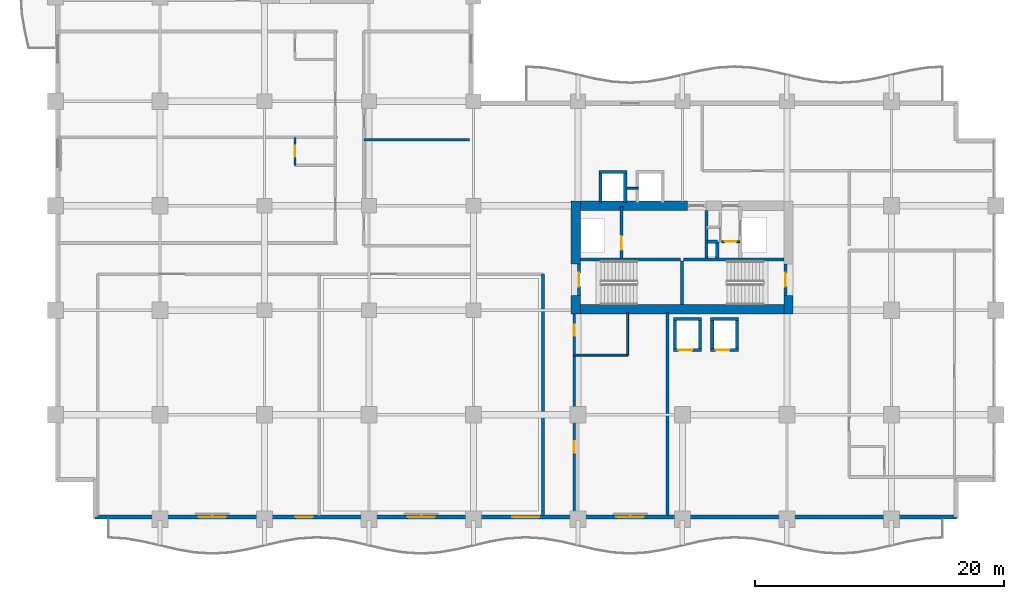
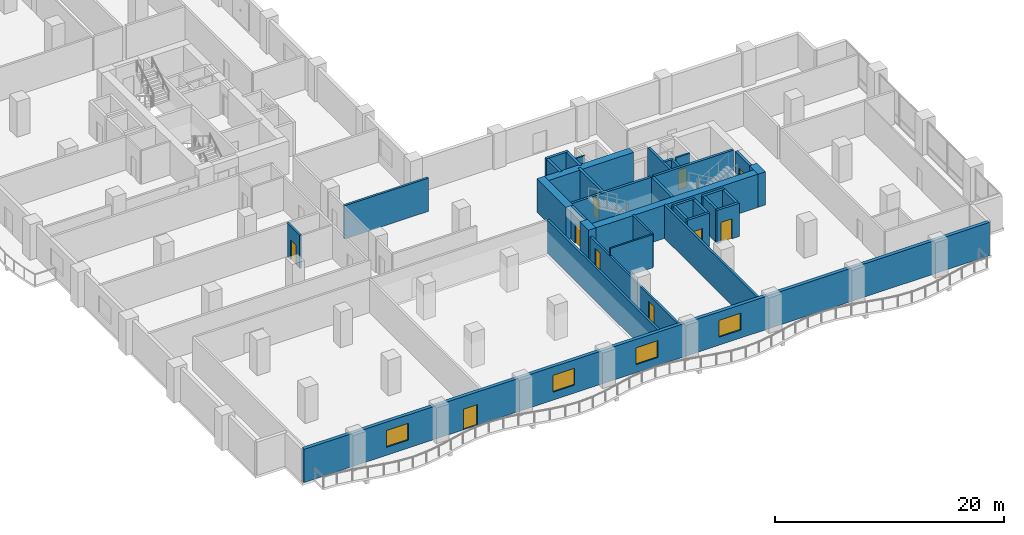
# One storey, part 9 of 23: 35 walls, 10 doors, 4 windows, 14 openings.
"""IFC4 building model written with IfcOpenShell, lengths in metres."""

from ifc_helpers import new_model, si_unit, direction, frame, frame_2d, origin, place, context, subcontext, project, spatial, rectangle, extrude, material, layer, layer_set, type_object, element, fill, save


model = new_model("IFC4")

# Units and contexts
model_context = context("Model", 3, precision=1e-05, world=origin(), true_north=direction((0.0, 1.0)))
body_context = subcontext(model_context, "Body", "Model", "MODEL_VIEW")
ifc_project = project(units=[si_unit("LENGTHUNIT", "METRE"), si_unit("AREAUNIT", "SQUARE_METRE"), si_unit("VOLUMEUNIT", "CUBIC_METRE"), si_unit("PLANEANGLEUNIT", "RADIAN"), si_unit("MASSUNIT", "GRAM", prefix="KILO")], contexts=[model_context])

# Site, building, storey
site_placement = place(None, origin())
site = spatial("IfcSite", under=ifc_project, at=site_placement, CompositionType="ELEMENT")
building_placement = place(site_placement, origin())
building = spatial("IfcBuilding", under=site, at=building_placement, Name="Koriwani Terraces Tower", CompositionType="ELEMENT")
storey_placement = place(building_placement, frame((0.0, 0.0, 134.199951171875)))
storey = spatial("IfcBuildingStorey", under=building, at=storey_placement, Name="L32", CompositionType="ELEMENT", Elevation=134.199951171875)

# Walls
ifc_material_1 = material(Name="Concrete C60/75", Category="concrete")
ifc_layer_1 = layer(ifc_material_1, 0.75, Name="Concrete C60/75")
ifc_layer_set_1 = layer_set([ifc_layer_1], Name="Concrete C60/75")
wall_type_1 = type_object("IfcWallType", Name="WALL_CORE_RC_750", PredefinedType="SHEAR", material=ifc_layer_set_1)
wall_1_placement = place(storey_placement, frame((41.824951171875, 16.5, 0.0), z_axis=(0.0, 0.0, 1.0), x_axis=(0.0, 1.0, 0.0)))
element("IfcWall", 1, at=wall_1_placement, inside=storey, type_object=wall_type_1, Name="L32 East Split Core Shear Wall W1", PredefinedType="SHEAR", context=body_context, shape_type="SweptSolid", body=[
    extrude(rectangle(XDim=1.5, YDim=0.75, at=frame_2d((0.75, 0.0))), origin(), (0.0, 0.0, 1.0), 3.550048828125),
])
wall_2_placement = place(storey_placement, frame((41.824951171875, 20.5, 0.0), z_axis=(0.0, 0.0, 1.0), x_axis=(0.0, 1.0, 0.0)))
element("IfcWall", 2, at=wall_2_placement, inside=storey, type_object=wall_type_1, Name="L32 East Split Core Shear Wall W2", PredefinedType="SHEAR", context=body_context, shape_type="SweptSolid", body=[
    extrude(rectangle(XDim=5.074951171875, YDim=0.75, at=frame_2d((2.53759765625, 0.0))), origin(), (0.0, 0.0, 1.0), 3.550048828125),
])
wall_3_placement = place(storey_placement, frame((58.925048828125, 16.5, 0.0), z_axis=(0.0, 0.0, 1.0), x_axis=(0.0, 1.0, 0.0)))
element("IfcWall", 3, at=wall_3_placement, inside=storey, type_object=wall_type_1, Name="L32 East Split Core Shear Wall E1", PredefinedType="SHEAR", context=body_context, shape_type="SweptSolid", body=[
    extrude(rectangle(XDim=1.5, YDim=0.75, at=frame_2d((0.75, 0.0))), origin(), (0.0, 0.0, 1.0), 3.550048828125),
])
wall_4_placement = place(storey_placement, frame((42.199951171875, 16.875, 0.0), z_axis=(0.0, 0.0, 1.0), x_axis=(1.0, 0.0, 0.0)))
element("IfcWall", 4, at=wall_4_placement, inside=storey, type_object=wall_type_1, Name="L32 East Split Core Shear Wall S1", PredefinedType="SHEAR", context=body_context, shape_type="SweptSolid", body=[
    extrude(rectangle(XDim=16.35009765625, YDim=0.75, at=frame_2d((8.175048828125, 0.0))), origin(), (0.0, 0.0, 1.0), 3.550048828125),
])
wall_5_placement = place(storey_placement, frame((42.199951171875, 25.199951171875, 0.0), z_axis=(0.0, 0.0, 1.0), x_axis=(1.0, 0.0, 0.0)))
element("IfcWall", 5, at=wall_5_placement, inside=storey, type_object=wall_type_1, Name="L32 East Split Core Shear Wall N1", PredefinedType="SHEAR", context=body_context, shape_type="SweptSolid", body=[
    extrude(rectangle(XDim=8.60009765625, YDim=0.75, at=frame_2d((4.300048828125, 0.0))), origin(), (0.0, 0.0, 1.0), 3.550048828125),
])

# Wall, openings, doors
ifc_material_2 = material(Name="Autoclaved Cellular Concrete Blockwork", Category="masonry")
ifc_layer_2 = layer(ifc_material_2, 0.199951171875, Name="Autoclaved Cellular Concrete Blockwork")
ifc_layer_set_2 = layer_set([ifc_layer_2], Name="Autoclaved Cellular Concrete Blockwork")
wall_type_2 = type_object("IfcWallType", Name="WALL_CORRIDOR_200", PredefinedType="PARTITIONING", material=ifc_layer_set_2)
wall_6_placement = place(storey_placement, frame((41.699951171875, 0.35009765625, 0.0), z_axis=(0.0, 0.0, 1.0), x_axis=(0.0, 1.0, 0.0)))
wall_6 = element("IfcWall", 6, at=wall_6_placement, inside=storey, type_object=wall_type_2, Name="L32 Interior Wall WREC-EW-L32", PredefinedType="PARTITIONING", context=body_context, shape_type="SweptSolid", body=[
    extrude(rectangle(XDim=16.25, YDim=0.199951171875, at=frame_2d((8.125, 0.0))), origin(), (0.0, 0.0, 1.0), 2.800048828125),
])
opening_1_placement = place(wall_6_placement, frame((5.0, 0.0, 0.0)))
opening_1 = element("IfcOpeningElement", 7, at=opening_1_placement, cuts=wall_6, Name="Opening D-06", PredefinedType="OPENING", context=body_context, shape_type="SweptSolid", body=[
    extrude(rectangle(XDim=0.919921875, YDim=2.10009765625, at=frame_2d((0.4599609375, 1.050048828125))), frame((0.0, 0.10986328125, 0.0), z_axis=(0.0, -1.0, 0.0), x_axis=(1.0, 0.0, 0.0)), (0.0, 0.0, 1.0), 0.219970703125),
])
opening_2_placement = place(wall_6_placement, frame((14.39990234375, 0.0, 0.0)))
opening_2 = element("IfcOpeningElement", 8, at=opening_2_placement, cuts=wall_6, Name="Opening D-07", PredefinedType="OPENING", context=body_context, shape_type="SweptSolid", body=[
    extrude(rectangle(XDim=0.89990234375, YDim=2.10009765625, at=frame_2d((0.449951171875, 1.050048828125))), frame((0.0, 0.10986328125, 0.0), z_axis=(0.0, -1.0, 0.0), x_axis=(1.0, 0.0, 0.0)), (0.0, 0.0, 1.0), 0.219970703125),
])
ifc_material_3 = material(Name="Architectural Oak Fire Door", Category="wood")
door_type_1 = type_object("IfcDoorType", Name="DOOR_BATH_INT_900X2100", OperationType="NOTDEFINED", PredefinedType="DOOR", material=ifc_material_3)
door_1_placement = place(opening_2_placement, origin())
door_1 = element("IfcDoor", 9, at=door_1_placement, inside=storey, type_object=door_type_1, Name="L32 Linen Closet Door", OperationType="SINGLE_SWING_RIGHT", OverallHeight=2.10009765625, OverallWidth=0.89990234375, PredefinedType="DOOR", context=body_context, shape_type="SweptSolid", body=[
    extrude(rectangle(XDim=0.89990234375, YDim=2.10009765625, at=frame_2d((0.449951171875, 1.050048828125))), frame((0.0, 0.02490234375, 0.0), z_axis=(0.0, -1.0, 0.0), x_axis=(1.0, 0.0, 0.0)), (0.0, 0.0, 1.0), 0.050048828125),
])
fill(opening_2, door_1)
door_type_2 = type_object("IfcDoorType", Name="DOOR_ROOM_INT_920X2100", OperationType="NOTDEFINED", PredefinedType="DOOR", material=ifc_material_3)
door_2_placement = place(opening_1_placement, origin())
door_2 = element("IfcDoor", 10, at=door_2_placement, inside=storey, type_object=door_type_2, Name="L32 Floor Study Lounge Door", OperationType="SINGLE_SWING_LEFT", OverallHeight=2.10009765625, OverallWidth=0.919921875, PredefinedType="DOOR", context=body_context, shape_type="SweptSolid", body=[
    extrude(rectangle(XDim=0.919921875, YDim=2.10009765625, at=frame_2d((0.4599609375, 1.050048828125))), frame((0.0, 0.02490234375, 0.0), z_axis=(0.0, -1.0, 0.0), x_axis=(1.0, 0.0, 0.0)), (0.0, 0.0, 1.0), 0.050048828125),
])
fill(opening_1, door_2)

# Walls
ifc_layer_3 = layer(ifc_material_2, 0.219970703125, Name="Autoclaved Cellular Concrete Blockwork")
ifc_layer_set_3 = layer_set([ifc_layer_3], Name="Autoclaved Cellular Concrete Blockwork")
wall_type_3 = type_object("IfcWallType", Name="WALL_DEMISING_220", PredefinedType="PARTITIONING", material=ifc_layer_set_3)
wall_7_placement = place(storey_placement, frame((49.199951171875, 0.35009765625, 0.0), z_axis=(0.0, 0.0, 1.0), x_axis=(0.0, 1.0, 0.0)))
element("IfcWall", 11, at=wall_7_placement, inside=storey, type_object=wall_type_3, Name="L32 Interior Wall WREC-EE-L32", PredefinedType="PARTITIONING", context=body_context, shape_type="SweptSolid", body=[
    extrude(rectangle(XDim=16.25, YDim=0.219970703125, at=frame_2d((8.125, 0.0))), origin(), (0.0, 0.0, 1.0), 3.550048828125),
])
wall_8_placement = place(storey_placement, frame((24.800048828125, 30.5, 0.0), z_axis=(0.0, 0.0, 1.0), x_axis=(1.0, 0.0, 0.0)))
element("IfcWall", 12, at=wall_8_placement, inside=storey, type_object=wall_type_3, Name="L32 Interior Wall WIC2-M-L32", PredefinedType="PARTITIONING", context=body_context, shape_type="SweptSolid", body=[
    extrude(rectangle(XDim=8.5, YDim=0.219970703125, at=frame_2d((4.25, 0.0))), origin(), (0.0, 0.0, 1.0), 3.550048828125),
])
wall_9_placement = place(storey_placement, frame((39.199951171875, 0.300048828125, 0.0), z_axis=(0.0, 0.0, 1.0), x_axis=(0.0, 1.0, 0.0)))
element("IfcWall", 13, at=wall_9_placement, inside=storey, type_object=wall_type_3, Name="L32 Interior Wall WC2CFE-L32", PredefinedType="PARTITIONING", context=body_context, shape_type="SweptSolid", body=[
    extrude(rectangle(XDim=19.39990234375, YDim=0.219970703125, at=frame_2d((9.699951171875, 0.0))), origin(), (0.0, 0.0, 1.0), 3.550048828125),
])

# Wall, openings, door, windows
ifc_material_4 = material(Name="Concrete C50/60", Category="concrete")
ifc_layer_4 = layer(ifc_material_4, 0.35009765625, Name="Concrete C50/60")
ifc_layer_set_4 = layer_set([ifc_layer_4], Name="Concrete C50/60")
wall_type_4 = type_object("IfcWallType", Name="WALL_EXT_BRUTALIST_350", PredefinedType="STANDARD", material=ifc_layer_set_4)
wall_10_placement = place(storey_placement, frame((72.425048828125, 0.175048828125, 0.0), z_axis=(0.0, 0.0, 1.0), x_axis=(-1.0, 0.0, 0.0)))
wall_10 = element("IfcWall", 14, at=wall_10_placement, inside=storey, type_object=wall_type_4, Name="L32 Fair-Faced Brutalist Exterior Wall (S)", PredefinedType="STANDARD", context=body_context, shape_type="SweptSolid", body=[
    extrude(rectangle(XDim=69.25, YDim=0.35009765625, at=frame_2d((34.625, 0.0))), origin(), (0.0, 0.0, 1.0), 3.550048828125),
])
opening_3_placement = place(wall_10_placement, frame((51.72509765625, 0.0, 0.0)))
opening_3 = element("IfcOpeningElement", 15, at=opening_3_placement, cuts=wall_10, Name="Opening D-09", PredefinedType="OPENING", context=body_context, shape_type="SweptSolid", body=[
    extrude(rectangle(XDim=1.39990234375, YDim=2.199951171875, at=frame_2d((0.699951171875, 1.10009765625))), frame((0.0, 0.18505859375, 0.0), z_axis=(0.0, -1.0, 0.0), x_axis=(1.0, 0.0, 0.0)), (0.0, 0.0, 1.0), 0.3701171875),
])
opening_4_placement = place(wall_10_placement, frame((58.72509765625, 0.0, 0.85009765625)))
opening_4 = element("IfcOpeningElement", 16, at=opening_4_placement, cuts=wall_10, Name="Opening W-01", PredefinedType="OPENING", context=body_context, shape_type="SweptSolid", body=[
    extrude(rectangle(XDim=2.199951171875, YDim=1.800048828125, at=frame_2d((1.10009765625, 0.89990234375))), frame((0.0, 0.18505859375, 0.0), z_axis=(0.0, -1.0, 0.0), x_axis=(1.0, 0.0, 0.0)), (0.0, 0.0, 1.0), 0.3701171875),
])
opening_5_placement = place(wall_10_placement, frame((41.925048828125, 0.0, 0.85009765625)))
opening_5 = element("IfcOpeningElement", 17, at=opening_5_placement, cuts=wall_10, Name="Opening W-01", PredefinedType="OPENING", context=body_context, shape_type="SweptSolid", body=[
    extrude(rectangle(XDim=2.199951171875, YDim=1.800048828125, at=frame_2d((1.10009765625, 0.89990234375))), frame((0.0, 0.18505859375, 0.0), z_axis=(0.0, -1.0, 0.0), x_axis=(1.0, 0.0, 0.0)), (0.0, 0.0, 1.0), 0.3701171875),
])
opening_6_placement = place(wall_10_placement, frame((33.52490234375, 0.0, 0.85009765625)))
opening_6 = element("IfcOpeningElement", 18, at=opening_6_placement, cuts=wall_10, Name="Opening W-01", PredefinedType="OPENING", context=body_context, shape_type="SweptSolid", body=[
    extrude(rectangle(XDim=2.199951171875, YDim=1.800048828125, at=frame_2d((1.10009765625, 0.89990234375))), frame((0.0, 0.18505859375, 0.0), z_axis=(0.0, -1.0, 0.0), x_axis=(1.0, 0.0, 0.0)), (0.0, 0.0, 1.0), 0.3701171875),
])
opening_7_placement = place(wall_10_placement, frame((25.125, 0.0, 0.85009765625)))
opening_7 = element("IfcOpeningElement", 19, at=opening_7_placement, cuts=wall_10, Name="Opening W-01", PredefinedType="OPENING", context=body_context, shape_type="SweptSolid", body=[
    extrude(rectangle(XDim=2.199951171875, YDim=1.800048828125, at=frame_2d((1.10009765625, 0.89990234375))), frame((0.0, 0.18505859375, 0.0), z_axis=(0.0, -1.0, 0.0), x_axis=(1.0, 0.0, 0.0)), (0.0, 0.0, 1.0), 0.3701171875),
])
ifc_material_5 = material(Name="Anodised Bronze Aluminium", Category="aluminium")
door_type_3 = type_object("IfcDoorType", Name="DOOR_BALCONY_GLAZED_1400X2200", OperationType="NOTDEFINED", PredefinedType="DOOR", material=ifc_material_5)
door_3_placement = place(opening_3_placement, origin())
door_3 = element("IfcDoor", 20, at=door_3_placement, inside=storey, type_object=door_type_3, Name="L32 South Balcony Glazed Door", OperationType="SINGLE_SWING_LEFT", OverallHeight=2.199951171875, OverallWidth=1.39990234375, PredefinedType="DOOR", context=body_context, shape_type="SweptSolid", body=[
    extrude(rectangle(XDim=1.39990234375, YDim=2.199951171875, at=frame_2d((0.699951171875, 1.10009765625))), frame((0.0, 0.02490234375, 0.0), z_axis=(0.0, -1.0, 0.0), x_axis=(1.0, 0.0, 0.0)), (0.0, 0.0, 1.0), 0.050048828125),
])
fill(opening_3, door_3)
ifc_material_6 = material(Name="Tempered Laminated Low-E Glass", Category="glass")
window_type = type_object("IfcWindowType", Name="WIN_HOTEL_STD_2200X1800", PartitioningType="DOUBLE_PANEL_VERTICAL", PredefinedType="WINDOW", material=ifc_material_6)
window_1_placement = place(opening_4_placement, origin())
window_1 = element("IfcWindow", 21, at=window_1_placement, inside=storey, type_object=window_type, Name="L32 Exterior Window (S-3)", OverallHeight=1.800048828125, OverallWidth=2.199951171875, PartitioningType="SINGLE_PANEL", PredefinedType="WINDOW", context=body_context, shape_type="SweptSolid", body=[
    extrude(rectangle(XDim=2.199951171875, YDim=1.800048828125, at=frame_2d((1.10009765625, 0.89990234375))), frame((0.0, 0.030029296875, 0.0), z_axis=(0.0, -1.0, 0.0), x_axis=(1.0, 0.0, 0.0)), (0.0, 0.0, 1.0), 0.06005859375),
])
fill(opening_4, window_1)
window_2_placement = place(opening_5_placement, origin())
window_2 = element("IfcWindow", 22, at=window_2_placement, inside=storey, type_object=window_type, Name="L32 Exterior Window (S-9)", OverallHeight=1.800048828125, OverallWidth=2.199951171875, PartitioningType="SINGLE_PANEL", PredefinedType="WINDOW", context=body_context, shape_type="SweptSolid", body=[
    extrude(rectangle(XDim=2.199951171875, YDim=1.800048828125, at=frame_2d((1.10009765625, 0.89990234375))), frame((0.0, 0.030029296875, 0.0), z_axis=(0.0, -1.0, 0.0), x_axis=(1.0, 0.0, 0.0)), (0.0, 0.0, 1.0), 0.06005859375),
])
fill(opening_5, window_2)
window_3_placement = place(opening_6_placement, origin())
window_3 = element("IfcWindow", 23, at=window_3_placement, inside=storey, type_object=window_type, Name="L32 Exterior Window (S-12)", OverallHeight=1.800048828125, OverallWidth=2.199951171875, PartitioningType="SINGLE_PANEL", PredefinedType="WINDOW", context=body_context, shape_type="SweptSolid", body=[
    extrude(rectangle(XDim=2.199951171875, YDim=1.800048828125, at=frame_2d((1.10009765625, 0.89990234375))), frame((0.0, 0.030029296875, 0.0), z_axis=(0.0, -1.0, 0.0), x_axis=(1.0, 0.0, 0.0)), (0.0, 0.0, 1.0), 0.06005859375),
])
fill(opening_6, window_3)
window_4_placement = place(opening_7_placement, origin())
window_4 = element("IfcWindow", 24, at=window_4_placement, inside=storey, type_object=window_type, Name="L32 Exterior Window (S-15)", OverallHeight=1.800048828125, OverallWidth=2.199951171875, PartitioningType="SINGLE_PANEL", PredefinedType="WINDOW", context=body_context, shape_type="SweptSolid", body=[
    extrude(rectangle(XDim=2.199951171875, YDim=1.800048828125, at=frame_2d((1.10009765625, 0.89990234375))), frame((0.0, 0.030029296875, 0.0), z_axis=(0.0, -1.0, 0.0), x_axis=(1.0, 0.0, 0.0)), (0.0, 0.0, 1.0), 0.06005859375),
])
fill(opening_7, window_4)

# Wall, opening, door
ifc_material_7 = material(Name="Fire-Rated Acoustic Gypsum Partition", Category="masonry")
ifc_layer_5 = layer(ifc_material_7, 0.179931640625, Name="Fire-Rated Acoustic Gypsum Partition")
ifc_layer_set_5 = layer_set([ifc_layer_5], Name="Fire-Rated Acoustic Gypsum Partition")
wall_type_5 = type_object("IfcWallType", Name="WALL_PLUMBING_180", PredefinedType="PLUMBINGWALL", material=ifc_layer_set_5)
wall_11_placement = place(storey_placement, frame((19.25, 28.449951171875, 0.0), z_axis=(0.0, 0.0, 1.0), x_axis=(0.0, 1.0, 0.0)))
wall_11 = element("IfcWall", 25, at=wall_11_placement, inside=storey, type_object=wall_type_5, Name="L32 Interior Wall WBTH1-L32-NW-0", PredefinedType="PLUMBINGWALL", context=body_context, shape_type="SweptSolid", body=[
    extrude(rectangle(XDim=2.25, YDim=0.179931640625, at=frame_2d((1.125, 0.0))), origin(), (0.0, 0.0, 1.0), 3.550048828125),
])
opening_8_placement = place(wall_11_placement, frame((0.675048828125, 0.0, 0.0)))
opening_8 = element("IfcOpeningElement", 26, at=opening_8_placement, cuts=wall_11, Name="Opening D-07", PredefinedType="OPENING", context=body_context, shape_type="SweptSolid", body=[
    extrude(rectangle(XDim=0.89990234375, YDim=2.10009765625, at=frame_2d((0.449951171875, 1.050048828125))), frame((0.0, 0.10009765625, 0.0), z_axis=(0.0, -1.0, 0.0), x_axis=(1.0, 0.0, 0.0)), (0.0, 0.0, 1.0), 0.199951171875),
])
door_4_placement = place(opening_8_placement, origin())
door_4 = element("IfcDoor", 27, at=door_4_placement, inside=storey, type_object=door_type_1, Name="En-Suite Bathroom 32NW1 Door", OperationType="SINGLE_SWING_LEFT", OverallHeight=2.10009765625, OverallWidth=0.89990234375, PredefinedType="DOOR", context=body_context, shape_type="SweptSolid", body=[
    extrude(rectangle(XDim=0.89990234375, YDim=2.10009765625, at=frame_2d((0.449951171875, 1.050048828125))), frame((0.0, 0.02490234375, 0.0), z_axis=(0.0, -1.0, 0.0), x_axis=(1.0, 0.0, 0.0)), (0.0, 0.0, 1.0), 0.050048828125),
])
fill(opening_8, door_4)

# Walls
ifc_material_8 = material(Name="Concrete C40/50", Category="concrete")
ifc_layer_6 = layer(ifc_material_8, 0.25, Name="Concrete C40/50")
ifc_layer_set_6 = layer_set([ifc_layer_6], Name="Concrete C40/50")
wall_type_6 = type_object("IfcWallType", Name="WALL_SHAFT_RATED_250", PredefinedType="SOLIDWALL", material=ifc_layer_set_6)
for number, where, z_axis, x_axis, name in (
    (28, (42.199951171875, 20.875, 0.0), (0.0, 0.0, 1.0), (1.0, 0.0, 0.0), "L32 East Split Core Web Wall MID1"),
    (29, (50.5, 20.875, 0.0), (0.0, 0.0, 1.0), (1.0, 0.0, 0.0), "L32 East Split Core Web Wall MID2"),
):
    element("IfcWall", number, at=place(storey_placement, frame(where, z_axis=z_axis, x_axis=x_axis)), inside=storey, type_object=wall_type_6, Name=name, PredefinedType="SOLIDWALL", context=body_context, shape_type="SweptSolid", body=[
        extrude(rectangle(XDim=8.050048828125, YDim=0.25, at=frame_2d((4.02490234375, 0.0))), origin(), (0.0, 0.0, 1.0), 3.550048828125),
    ])
wall_12_placement = place(storey_placement, frame((50.375, 17.25, 0.0), z_axis=(0.0, 0.0, 1.0), x_axis=(0.0, 1.0, 0.0)))
element("IfcWall", 30, at=wall_12_placement, inside=storey, type_object=wall_type_6, Name="L32 East Split Core Stair Dividing Wall", PredefinedType="SOLIDWALL", context=body_context, shape_type="SweptSolid", body=[
    extrude(rectangle(XDim=3.5, YDim=0.25, at=frame_2d((1.75, 0.0))), origin(), (0.0, 0.0, 1.0), 3.550048828125),
])

# Wall, opening, door
wall_13_placement = place(storey_placement, frame((42.074951171875, 18.0, 0.0), z_axis=(0.0, 0.0, 1.0), x_axis=(0.0, 1.0, 0.0)))
wall_13 = element("IfcWall", 31, at=wall_13_placement, inside=storey, type_object=wall_type_6, Name="L32 Interior Wall WIN-CE-L32-STW", PredefinedType="SOLIDWALL", context=body_context, shape_type="SweptSolid", body=[
    extrude(rectangle(XDim=2.5, YDim=0.25, at=frame_2d((1.25, 0.0))), origin(), (0.0, 0.0, 1.0), 3.550048828125),
])
opening_9_placement = place(wall_13_placement, frame((0.699951171875, 0.0, 0.0)))
opening_9 = element("IfcOpeningElement", 32, at=opening_9_placement, cuts=wall_13, Name="Opening D-03", PredefinedType="OPENING", context=body_context, shape_type="SweptSolid", body=[
    extrude(rectangle(XDim=1.10009765625, YDim=2.14990234375, at=frame_2d((0.550048828125, 1.074951171875))), frame((0.0, 0.135009765625, 0.0), z_axis=(0.0, -1.0, 0.0), x_axis=(1.0, 0.0, 0.0)), (0.0, 0.0, 1.0), 0.27001953125),
])
ifc_material_9 = material(Name="Steel ASTM A572 Grade 50", Category="steel")
door_type_4 = type_object("IfcDoorType", Name="DOOR_STAIR_FIRE_1100X2150", OperationType="NOTDEFINED", PredefinedType="DOOR", material=ifc_material_9)
door_5_placement = place(opening_9_placement, origin())
door_5 = element("IfcDoor", 33, at=door_5_placement, inside=storey, type_object=door_type_4, Name="L32 Exit Stair ST-E1 Door", OperationType="SINGLE_SWING_LEFT", OverallHeight=2.14990234375, OverallWidth=1.10009765625, PredefinedType="DOOR", context=body_context, shape_type="SweptSolid", body=[
    extrude(rectangle(XDim=1.10009765625, YDim=2.14990234375, at=frame_2d((0.550048828125, 1.074951171875))), frame((0.0, 0.02490234375, 0.0), z_axis=(0.0, -1.0, 0.0), x_axis=(1.0, 0.0, 0.0)), (0.0, 0.0, 1.0), 0.050048828125),
])
fill(opening_9, door_5)

wall_14_placement = place(storey_placement, frame((58.675048828125, 18.0, 0.0), z_axis=(0.0, 0.0, 1.0), x_axis=(0.0, 1.0, 0.0)))
wall_14 = element("IfcWall", 34, at=wall_14_placement, inside=storey, type_object=wall_type_6, Name="L32 Interior Wall WIN-CE-L32-STE", PredefinedType="SOLIDWALL", context=body_context, shape_type="SweptSolid", body=[
    extrude(rectangle(XDim=2.5, YDim=0.25, at=frame_2d((1.25, 0.0))), origin(), (0.0, 0.0, 1.0), 3.550048828125),
])
opening_10_placement = place(wall_14_placement, frame((0.699951171875, 0.0, 0.0)))
opening_10 = element("IfcOpeningElement", 35, at=opening_10_placement, cuts=wall_14, Name="Opening D-03", PredefinedType="OPENING", context=body_context, shape_type="SweptSolid", body=[
    extrude(rectangle(XDim=1.10009765625, YDim=2.14990234375, at=frame_2d((0.550048828125, 1.074951171875))), frame((0.0, 0.135009765625, 0.0), z_axis=(0.0, -1.0, 0.0), x_axis=(1.0, 0.0, 0.0)), (0.0, 0.0, 1.0), 0.27001953125),
])
door_6_placement = place(opening_10_placement, origin())
door_6 = element("IfcDoor", 36, at=door_6_placement, inside=storey, type_object=door_type_4, Name="L32 Exit Stair ST-E2 Door", OperationType="SINGLE_SWING_RIGHT", OverallHeight=2.14990234375, OverallWidth=1.10009765625, PredefinedType="DOOR", context=body_context, shape_type="SweptSolid", body=[
    extrude(rectangle(XDim=1.10009765625, YDim=2.14990234375, at=frame_2d((0.550048828125, 1.074951171875))), frame((0.0, 0.02490234375, 0.0), z_axis=(0.0, -1.0, 0.0), x_axis=(1.0, 0.0, 0.0)), (0.0, 0.0, 1.0), 0.050048828125),
])
fill(opening_10, door_6)

wall_15_placement = place(storey_placement, frame((45.5, 21.0, 0.0), z_axis=(0.0, 0.0, 1.0), x_axis=(0.0, 1.0, 0.0)))
wall_15 = element("IfcWall", 37, at=wall_15_placement, inside=storey, type_object=wall_type_6, Name="L32 Interior Wall WIN-CE-L32-FE", PredefinedType="SOLIDWALL", context=body_context, shape_type="SweptSolid", body=[
    extrude(rectangle(XDim=4.14990234375, YDim=0.25, at=frame_2d((2.074951171875, 0.0))), origin(), (0.0, 0.0, 1.0), 3.550048828125),
])
opening_11_placement = place(wall_15_placement, frame((0.64990234375, 0.0, 0.0)))
opening_11 = element("IfcOpeningElement", 38, at=opening_11_placement, cuts=wall_15, Name="Opening LD-01", PredefinedType="OPENING", context=body_context, shape_type="SweptSolid", body=[
    extrude(rectangle(XDim=1.10009765625, YDim=2.14990234375, at=frame_2d((0.550048828125, 1.074951171875))), frame((0.0, 0.135009765625, 0.0), z_axis=(0.0, -1.0, 0.0), x_axis=(1.0, 0.0, 0.0)), (0.0, 0.0, 1.0), 0.27001953125),
])
door_type_5 = type_object("IfcDoorType", Name="DOOR_LIFT_LANDING_1100X2200", OperationType="NOTDEFINED", PredefinedType="DOOR", material=ifc_material_9)
door_7_placement = place(opening_11_placement, origin())
door_7 = element("IfcDoor", 39, at=door_7_placement, inside=storey, type_object=door_type_5, Name="L32 Firefighting Lift FE-02 Landing Door", OperationType="SLIDING_TO_LEFT", OverallHeight=2.14990234375, OverallWidth=1.10009765625, PredefinedType="DOOR", context=body_context, shape_type="SweptSolid", body=[
    extrude(rectangle(XDim=1.10009765625, YDim=2.14990234375, at=frame_2d((0.550048828125, 1.074951171875))), frame((0.0, 0.02490234375, 0.0), z_axis=(0.0, -1.0, 0.0), x_axis=(1.0, 0.0, 0.0)), (0.0, 0.0, 1.0), 0.050048828125),
])
fill(opening_11, door_7)

# Walls
wall_16_placement = place(storey_placement, frame((52.340087890625, 21.0, 0.0), z_axis=(0.0, 0.0, 1.0), x_axis=(0.0, 1.0, 0.0)))
element("IfcWall", 40, at=wall_16_placement, inside=storey, type_object=wall_type_6, Name="L32 Interior Wall WIN-CE-L32-FFE", PredefinedType="SOLIDWALL", context=body_context, shape_type="SweptSolid", body=[
    extrude(rectangle(XDim=3.824951171875, YDim=0.25, at=frame_2d((1.91259765625, 0.0))), origin(), (0.0, 0.0, 1.0), 3.550048828125),
])
wall_17_placement = place(storey_placement, frame((53.199951171875, 21.0, 0.0), z_axis=(0.0, 0.0, 1.0), x_axis=(0.0, 1.0, 0.0)))
element("IfcWall", 41, at=wall_17_placement, inside=storey, type_object=wall_type_6, Name="L32 Interior Wall WIN-CE-L32-RS1", PredefinedType="SOLIDWALL", context=body_context, shape_type="SweptSolid", body=[
    extrude(rectangle(XDim=1.300048828125, YDim=0.25, at=frame_2d((0.64990234375, 0.0))), origin(), (0.0, 0.0, 1.0), 3.550048828125),
])
wall_18_placement = place(storey_placement, frame((52.360107421875, 22.300048828125, 0.0), z_axis=(0.0, 0.0, 1.0), x_axis=(1.0, 0.0, 0.0)))
element("IfcWall", 42, at=wall_18_placement, inside=storey, type_object=wall_type_6, Name="L32 Interior Wall WIN-CE-L32-RS2", PredefinedType="SOLIDWALL", context=body_context, shape_type="SweptSolid", body=[
    extrude(rectangle(XDim=0.83984375, YDim=0.25, at=frame_2d((0.419921875, 0.0))), origin(), (0.0, 0.0, 1.0), 3.550048828125),
])

# Wall, opening, door
wall_19_placement = place(storey_placement, frame((49.675048828125, 13.60009765625, 0.0), z_axis=(0.0, 0.0, 1.0), x_axis=(1.0, 0.0, 0.0)))
wall_19 = element("IfcWall", 43, at=wall_19_placement, inside=storey, type_object=wall_type_6, Name="L32 Interior Wall WIN-LF-PE-M3-L32-F", PredefinedType="SOLIDWALL", context=body_context, shape_type="SweptSolid", body=[
    extrude(rectangle(XDim=2.25, YDim=0.25, at=frame_2d((1.125, 0.0))), origin(), (0.0, 0.0, 1.0), 3.550048828125),
])
opening_12_placement = place(wall_19_placement, frame((0.39990234375, 0.0, 0.0)))
opening_12 = element("IfcOpeningElement", 44, at=opening_12_placement, cuts=wall_19, Name="Opening LD-01", PredefinedType="OPENING", context=body_context, shape_type="SweptSolid", body=[
    extrude(rectangle(XDim=1.10009765625, YDim=2.14990234375, at=frame_2d((0.550048828125, 1.074951171875))), frame((0.0, 0.135009765625, 0.0), z_axis=(0.0, -1.0, 0.0), x_axis=(1.0, 0.0, 0.0)), (0.0, 0.0, 1.0), 0.27001953125),
])
door_8_placement = place(opening_12_placement, origin())
door_8 = element("IfcDoor", 45, at=door_8_placement, inside=storey, type_object=door_type_5, Name="L32 Passenger Lift PE-M3 Landing Door", OperationType="SLIDING_TO_LEFT", OverallHeight=2.14990234375, OverallWidth=1.10009765625, PredefinedType="DOOR", context=body_context, shape_type="SweptSolid", body=[
    extrude(rectangle(XDim=1.10009765625, YDim=2.14990234375, at=frame_2d((0.550048828125, 1.074951171875))), frame((0.0, 0.02490234375, 0.0), z_axis=(0.0, -1.0, 0.0), x_axis=(1.0, 0.0, 0.0)), (0.0, 0.0, 1.0), 0.050048828125),
])
fill(opening_12, door_8)

# Walls
for number, where, z_axis, x_axis, name in (
    (46, (49.675048828125, 16.10009765625, 0.0), (0.0, 0.0, 1.0), (1.0, 0.0, 0.0), "L32 Interior Wall WIN-LF-PE-M3-L32-B"),
    (47, (49.800048828125, 13.72509765625, 0.0), (0.0, 0.0, 1.0), (0.0, 1.0, 0.0), "L32 Interior Wall WIN-LF-PE-M3-L32-W"),
    (48, (51.800048828125, 13.72509765625, 0.0), (0.0, 0.0, 1.0), (0.0, 1.0, 0.0), "L32 Interior Wall WIN-LF-PE-M3-L32-E"),
):
    element("IfcWall", number, at=place(storey_placement, frame(where, z_axis=z_axis, x_axis=x_axis)), inside=storey, type_object=wall_type_6, Name=name, PredefinedType="SOLIDWALL", context=body_context, shape_type="SweptSolid", body=[
        extrude(rectangle(XDim=2.25, YDim=0.25, at=frame_2d((1.125, 0.0))), origin(), (0.0, 0.0, 1.0), 3.550048828125),
    ])

# Wall, opening, door
wall_20_placement = place(storey_placement, frame((52.675048828125, 13.60009765625, 0.0), z_axis=(0.0, 0.0, 1.0), x_axis=(1.0, 0.0, 0.0)))
wall_20 = element("IfcWall", 49, at=wall_20_placement, inside=storey, type_object=wall_type_6, Name="L32 Interior Wall WIN-LF-PE-M4-L32-F", PredefinedType="SOLIDWALL", context=body_context, shape_type="SweptSolid", body=[
    extrude(rectangle(XDim=2.25, YDim=0.25, at=frame_2d((1.125, 0.0))), origin(), (0.0, 0.0, 1.0), 3.550048828125),
])
opening_13_placement = place(wall_20_placement, frame((0.39990234375, 0.0, 0.0)))
opening_13 = element("IfcOpeningElement", 50, at=opening_13_placement, cuts=wall_20, Name="Opening LD-01", PredefinedType="OPENING", context=body_context, shape_type="SweptSolid", body=[
    extrude(rectangle(XDim=1.10009765625, YDim=2.14990234375, at=frame_2d((0.550048828125, 1.074951171875))), frame((0.0, 0.135009765625, 0.0), z_axis=(0.0, -1.0, 0.0), x_axis=(1.0, 0.0, 0.0)), (0.0, 0.0, 1.0), 0.27001953125),
])
door_9_placement = place(opening_13_placement, origin())
door_9 = element("IfcDoor", 51, at=door_9_placement, inside=storey, type_object=door_type_5, Name="L32 Passenger Lift PE-M4 Landing Door", OperationType="SLIDING_TO_LEFT", OverallHeight=2.14990234375, OverallWidth=1.10009765625, PredefinedType="DOOR", context=body_context, shape_type="SweptSolid", body=[
    extrude(rectangle(XDim=1.10009765625, YDim=2.14990234375, at=frame_2d((0.550048828125, 1.074951171875))), frame((0.0, 0.02490234375, 0.0), z_axis=(0.0, -1.0, 0.0), x_axis=(1.0, 0.0, 0.0)), (0.0, 0.0, 1.0), 0.050048828125),
])
fill(opening_13, door_9)

# Walls
for number, where, z_axis, x_axis, name in (
    (52, (52.675048828125, 16.10009765625, 0.0), (0.0, 0.0, 1.0), (1.0, 0.0, 0.0), "L32 Interior Wall WIN-LF-PE-M4-L32-B"),
    (53, (52.800048828125, 13.72509765625, 0.0), (0.0, 0.0, 1.0), (0.0, 1.0, 0.0), "L32 Interior Wall WIN-LF-PE-M4-L32-W"),
    (54, (54.800048828125, 13.72509765625, 0.0), (0.0, 0.0, 1.0), (0.0, 1.0, 0.0), "L32 Interior Wall WIN-LF-PE-M4-L32-E"),
    (55, (43.675048828125, 27.89990234375, 0.0), (0.0, 0.0, 1.0), (1.0, 0.0, 0.0), "L32 Interior Wall WIN-LF-PE-H3-L32-F"),
):
    element("IfcWall", number, at=place(storey_placement, frame(where, z_axis=z_axis, x_axis=x_axis)), inside=storey, type_object=wall_type_6, Name=name, PredefinedType="SOLIDWALL", context=body_context, shape_type="SweptSolid", body=[
        extrude(rectangle(XDim=2.25, YDim=0.25, at=frame_2d((1.125, 0.0))), origin(), (0.0, 0.0, 1.0), 3.550048828125),
    ])
for number, where, z_axis, x_axis, name in (
    (56, (43.800048828125, 25.449951171875, 0.0), (0.0, 0.0, 1.0), (0.0, 1.0, 0.0), "L32 Interior Wall WIN-LF-PE-H3-L32-W"),
    (57, (45.800048828125, 25.449951171875, 0.0), (0.0, 0.0, 1.0), (0.0, 1.0, 0.0), "L32 Interior Wall WIN-LF-PE-H3-L32-E"),
):
    element("IfcWall", number, at=place(storey_placement, frame(where, z_axis=z_axis, x_axis=x_axis)), inside=storey, type_object=wall_type_6, Name=name, PredefinedType="SOLIDWALL", context=body_context, shape_type="SweptSolid", body=[
        extrude(rectangle(XDim=2.324951171875, YDim=0.25, at=frame_2d((1.16259765625, 0.0))), origin(), (0.0, 0.0, 1.0), 3.550048828125),
    ])

# Wall, opening, door
ifc_layer_7 = layer(ifc_material_7, 0.159912109375, Name="Fire-Rated Acoustic Gypsum Partition")
ifc_layer_set_7 = layer_set([ifc_layer_7], Name="Fire-Rated Acoustic Gypsum Partition")
wall_type_7 = type_object("IfcWallType", Name="WALL_SUITE_160", PredefinedType="PARTITIONING", material=ifc_layer_set_7)
wall_21_placement = place(storey_placement, frame((53.56005859375, 22.320068359375, 0.0), z_axis=(0.0, 0.0, 1.0), x_axis=(1.0, 0.0, 0.0)))
wall_21 = element("IfcWall", 58, at=wall_21_placement, inside=storey, type_object=wall_type_7, Name="L32 Interior Wall WIN-CE-L32-SV2A", PredefinedType="PARTITIONING", context=body_context, shape_type="SweptSolid", body=[
    extrude(rectangle(XDim=1.43994140625, YDim=0.159912109375, at=frame_2d((0.719970703125, 0.0))), origin(), (0.0, 0.0, 1.0), 3.550048828125),
])
opening_14_placement = place(wall_21_placement, frame((0.260009765625, 0.0, 0.0)))
opening_14 = element("IfcOpeningElement", 59, at=opening_14_placement, cuts=wall_21, Name="Opening D-07", PredefinedType="OPENING", context=body_context, shape_type="SweptSolid", body=[
    extrude(rectangle(XDim=0.89990234375, YDim=2.10009765625, at=frame_2d((0.449951171875, 1.050048828125))), frame((0.0, 0.08984375, 0.0), z_axis=(0.0, -1.0, 0.0), x_axis=(1.0, 0.0, 0.0)), (0.0, 0.0, 1.0), 0.179931640625),
])
door_10_placement = place(opening_14_placement, origin())
door_10 = element("IfcDoor", 60, at=door_10_placement, inside=storey, type_object=door_type_1, Name="L32 East Meter Room Door", OperationType="SINGLE_SWING_LEFT", OverallHeight=2.10009765625, OverallWidth=0.89990234375, PredefinedType="DOOR", context=body_context, shape_type="SweptSolid", body=[
    extrude(rectangle(XDim=0.89990234375, YDim=2.10009765625, at=frame_2d((0.449951171875, 1.050048828125))), frame((0.0, 0.02490234375, 0.0), z_axis=(0.0, -1.0, 0.0), x_axis=(1.0, 0.0, 0.0)), (0.0, 0.0, 1.0), 0.050048828125),
])
fill(opening_14, door_10)

# Walls
wall_22_placement = place(storey_placement, frame((45.9599609375, 26.60009765625, 0.0), z_axis=(0.0, 0.0, 1.0), x_axis=(1.0, 0.0, 0.0)))
element("IfcWall", 61, at=wall_22_placement, inside=storey, type_object=wall_type_7, Name="L32 Interior Wall WIN-LF-PEH34-MID-L32", PredefinedType="PARTITIONING", context=body_context, shape_type="SweptSolid", body=[
    extrude(rectangle(XDim=0.880126953125, YDim=0.159912109375, at=frame_2d((0.43994140625, 0.0))), origin(), (0.0, 0.0, 1.0), 3.550048828125),
])
wall_23_placement = place(storey_placement, frame((41.699951171875, 13.199951171875, 0.0), z_axis=(0.0, 0.0, 1.0), x_axis=(1.0, 0.0, 0.0)))
element("IfcWall", 62, at=wall_23_placement, inside=storey, type_object=wall_type_7, Name="L32 Interior Wall WREC-EM-L32", PredefinedType="PARTITIONING", context=body_context, shape_type="SweptSolid", body=[
    extrude(rectangle(XDim=4.300048828125, YDim=0.159912109375, at=frame_2d((2.14990234375, 0.0))), origin(), (0.0, 0.0, 1.0), 3.550048828125),
])
wall_24_placement = place(storey_placement, frame((46.0, 13.199951171875, 0.0), z_axis=(0.0, 0.0, 1.0), x_axis=(0.0, 1.0, 0.0)))
element("IfcWall", 63, at=wall_24_placement, inside=storey, type_object=wall_type_7, Name="L32 Interior Wall WREC-EV-L32", PredefinedType="PARTITIONING", context=body_context, shape_type="SweptSolid", body=[
    extrude(rectangle(XDim=3.400146484375, YDim=0.159912109375, at=frame_2d((1.7001953125, 0.0))), origin(), (0.0, 0.0, 1.0), 3.550048828125),
])

save(model, "model.ifc")
